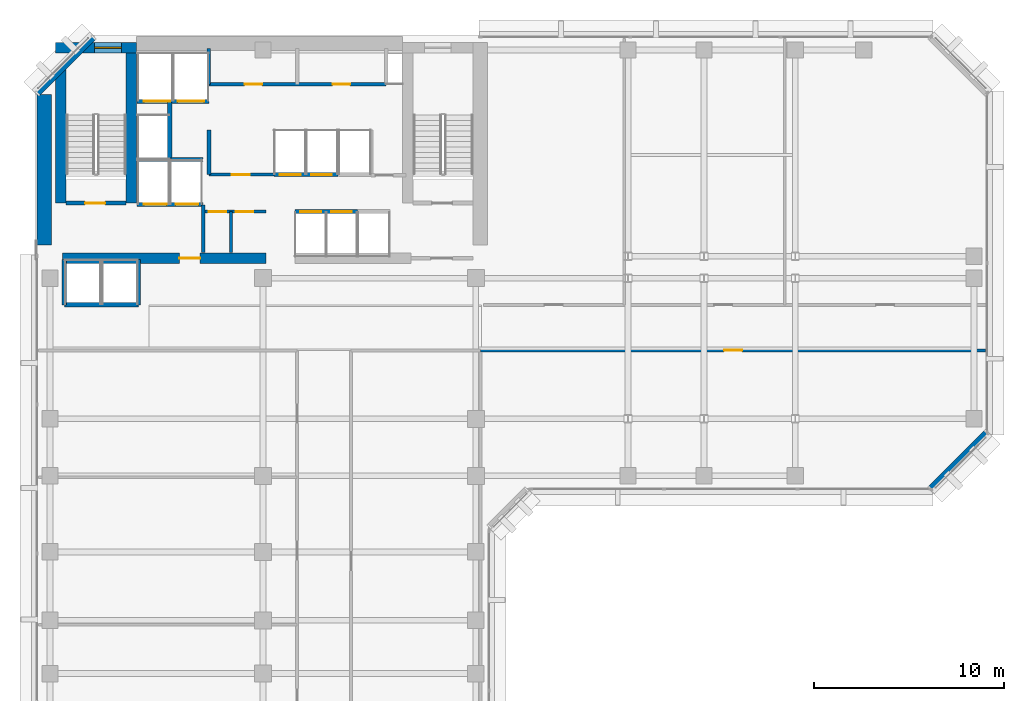
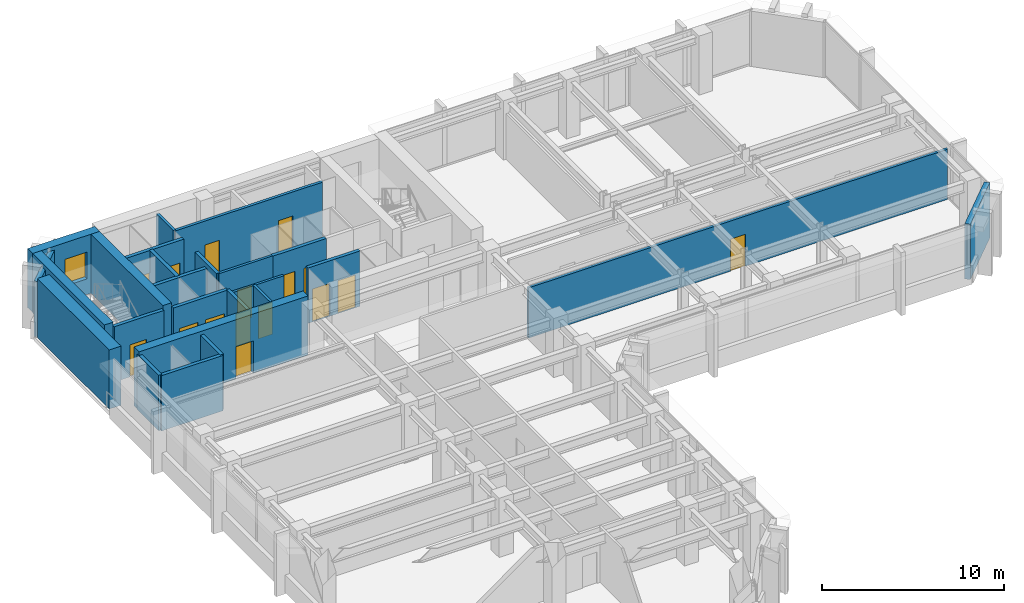
# One storey, part 7 of 11: 25 walls, 16 doors, 1 window, 17 openings.
"""IFC4 building model written with IfcOpenShell, lengths in metres."""

from ifc_helpers import new_model, si_unit, direction, frame, frame_2d, origin, place, context, subcontext, project, spatial, rectangle, extrude, material, layer, layer_set, type_object, element, fill, save


model = new_model("IFC4")

# Units and contexts
model_context = context("Model", 3, precision=1e-05, world=origin(), true_north=direction((0.0, 1.0)))
body_context = subcontext(model_context, "Body", "Model", "MODEL_VIEW")
ifc_project = project(units=[si_unit("LENGTHUNIT", "METRE"), si_unit("AREAUNIT", "SQUARE_METRE"), si_unit("VOLUMEUNIT", "CUBIC_METRE"), si_unit("PLANEANGLEUNIT", "RADIAN"), si_unit("MASSUNIT", "GRAM", prefix="KILO")], contexts=[model_context])

# Site, building, storey
site_placement = place(None, origin())
site = spatial("IfcSite", under=ifc_project, at=site_placement, CompositionType="ELEMENT")
building_placement = place(site_placement, origin())
building = spatial("IfcBuilding", under=site, at=building_placement, Name="Kefirva Bronze Tower", CompositionType="ELEMENT")
storey_placement = place(building_placement, frame((0.0, 0.0, 162.68994140625)))
storey = spatial("IfcBuildingStorey", under=building, at=storey_placement, Name="L39", CompositionType="ELEMENT", Elevation=162.68994140625)

# Wall, opening, door
ifc_material_1 = material(Name="Gypsum fireboard shaftwall")
ifc_layer_1 = layer(ifc_material_1, 0.219970703125, Name="Gypsum fireboard shaftwall")
ifc_layer_set_1 = layer_set([ifc_layer_1], Name="Gypsum fireboard shaftwall")
wall_type_1 = type_object("IfcWallType", Name="Fire-Rated Shaft Enclosure Wall 220mm", PredefinedType="PARTITIONING", material=ifc_layer_set_1)
wall_1_placement = place(storey_placement, frame((1.64990234375, 37.14990234375, 0.0), z_axis=(0.0, 0.0, 1.0), x_axis=(1.0, 0.0, 0.0)))
wall_1 = element("IfcWall", 1, at=wall_1_placement, inside=storey, type_object=wall_type_1, Name="L39 Partition W-L39-ST1S", PredefinedType="PARTITIONING", context=body_context, shape_type="SweptSolid", body=[
    extrude(rectangle(XDim=3.150146484375, YDim=0.219970703125, at=frame_2d((1.5751953125, 0.0))), origin(), (0.0, 0.0, 1.0), 3.7099609375),
])
opening_1_placement = place(wall_1_placement, frame((2.050048828125, 0.0, 0.0), z_axis=(0.0, 0.0, 1.0), x_axis=(-1.0, 0.0, 0.0)))
opening_1 = element("IfcOpeningElement", 2, at=opening_1_placement, cuts=wall_1, Name="Opening L39-D001", PredefinedType="OPENING", context=body_context, shape_type="SweptSolid", body=[
    extrude(rectangle(XDim=1.050048828125, YDim=2.14990234375, at=frame_2d((0.52490234375, 1.074951171875))), frame((0.0, 0.1201171875, 0.0), z_axis=(0.0, -1.0, 0.0), x_axis=(1.0, 0.0, 0.0)), (0.0, 0.0, 1.0), 0.239990234375),
])
ifc_material_2 = material(Name="Painted galvanized steel", Category="steel")
door_type_1 = type_object("IfcDoorType", Name="Fire Stair Enclosure Door 1050x2150 FD90S", OperationType="NOTDEFINED", PredefinedType="DOOR", material=ifc_material_2)
door_1_placement = place(opening_1_placement, origin())
door_1 = element("IfcDoor", 3, at=door_1_placement, inside=storey, type_object=door_type_1, Name="Door L39-D001", OperationType="SINGLE_SWING_LEFT", OverallHeight=2.14990234375, OverallWidth=1.050048828125, PredefinedType="DOOR", context=body_context, shape_type="SweptSolid", body=[
    extrude(rectangle(XDim=1.050048828125, YDim=2.14990234375, at=frame_2d((0.52490234375, 1.074951171875))), frame((0.0, 0.02490234375, 0.0), z_axis=(0.0, -1.0, 0.0), x_axis=(1.0, 0.0, 0.0)), (0.0, 0.0, 1.0), 0.050048828125),
])
fill(opening_1, door_1)

# Wall, openings, doors
wall_2_placement = place(storey_placement, frame((5.3798828125, 37.080078125, 0.0), z_axis=(0.0, 0.0, 1.0), x_axis=(1.0, 0.0, 0.0)))
wall_2 = element("IfcWall", 4, at=wall_2_placement, inside=storey, type_object=wall_type_1, Name="L39 Partition W-L39-FFS", PredefinedType="PARTITIONING", context=body_context, shape_type="SweptSolid", body=[
    extrude(rectangle(XDim=3.460205078125, YDim=0.219970703125, at=frame_2d((1.72998046875, 0.0))), origin(), (0.0, 0.0, 1.0), 3.7099609375),
])
opening_2_placement = place(wall_2_placement, frame((1.550048828125, 0.0, 0.0), z_axis=(0.0, 0.0, 1.0), x_axis=(-1.0, 0.0, 0.0)))
opening_2 = element("IfcOpeningElement", 5, at=opening_2_placement, cuts=wall_2, Name="Opening L39-LD-FF1", PredefinedType="OPENING", context=body_context, shape_type="SweptSolid", body=[
    extrude(rectangle(XDim=1.199951171875, YDim=2.199951171875, at=frame_2d((0.60009765625, 1.10009765625))), frame((0.0, 0.1201171875, 0.0), z_axis=(0.0, -1.0, 0.0), x_axis=(1.0, 0.0, 0.0)), (0.0, 0.0, 1.0), 0.239990234375),
])
opening_3_placement = place(wall_2_placement, frame((3.219970703125, 0.0, 0.0), z_axis=(0.0, 0.0, 1.0), x_axis=(-1.0, 0.0, 0.0)))
opening_3 = element("IfcOpeningElement", 6, at=opening_3_placement, cuts=wall_2, Name="Opening L39-LD-FF2", PredefinedType="OPENING", context=body_context, shape_type="SweptSolid", body=[
    extrude(rectangle(XDim=1.199951171875, YDim=2.199951171875, at=frame_2d((0.60009765625, 1.10009765625))), frame((0.0, 0.1201171875, 0.0), z_axis=(0.0, -1.0, 0.0), x_axis=(1.0, 0.0, 0.0)), (0.0, 0.0, 1.0), 0.239990234375),
])
ifc_material_3 = material(Name="Stainless steel 316", Category="steel")
door_type_2 = type_object("IfcDoorType", Name="Firefighting Lift Sliding Door 1200x2200", OperationType="SLIDING_TO_RIGHT", PredefinedType="DOOR", material=ifc_material_3)
door_2_placement = place(opening_2_placement, origin())
door_2 = element("IfcDoor", 7, at=door_2_placement, inside=storey, type_object=door_type_2, Name="Door L39-LD-FF1", OperationType="SLIDING_TO_RIGHT", OverallHeight=2.199951171875, OverallWidth=1.199951171875, PredefinedType="DOOR", context=body_context, shape_type="SweptSolid", body=[
    extrude(rectangle(XDim=1.199951171875, YDim=2.199951171875, at=frame_2d((0.60009765625, 1.10009765625))), frame((0.0, 0.02490234375, 0.0), z_axis=(0.0, -1.0, 0.0), x_axis=(1.0, 0.0, 0.0)), (0.0, 0.0, 1.0), 0.050048828125),
])
fill(opening_2, door_2)
door_3_placement = place(opening_3_placement, origin())
door_3 = element("IfcDoor", 8, at=door_3_placement, inside=storey, type_object=door_type_2, Name="Door L39-LD-FF2", OperationType="SLIDING_TO_RIGHT", OverallHeight=2.199951171875, OverallWidth=1.199951171875, PredefinedType="DOOR", context=body_context, shape_type="SweptSolid", body=[
    extrude(rectangle(XDim=1.199951171875, YDim=2.199951171875, at=frame_2d((0.60009765625, 1.10009765625))), frame((0.0, 0.02490234375, 0.0), z_axis=(0.0, -1.0, 0.0), x_axis=(1.0, 0.0, 0.0)), (0.0, 0.0, 1.0), 0.050048828125),
])
fill(opening_3, door_3)

# Wall
wall_3_placement = place(storey_placement, frame((5.3798828125, 39.449951171875, 0.0), z_axis=(0.0, 0.0, 1.0), x_axis=(1.0, 0.0, 0.0)))
element("IfcWall", 9, at=wall_3_placement, inside=storey, type_object=wall_type_1, Name="L39 Partition W-L39-FFN", PredefinedType="PARTITIONING", context=body_context, shape_type="SweptSolid", body=[
    extrude(rectangle(XDim=3.460205078125, YDim=0.219970703125, at=frame_2d((1.72998046875, 0.0))), origin(), (0.0, 0.0, 1.0), 3.7099609375),
])

# Wall, openings, doors
wall_4_placement = place(storey_placement, frame((5.3798828125, 42.5, 0.0), z_axis=(0.0, 0.0, 1.0), x_axis=(1.0, 0.0, 0.0)))
wall_4 = element("IfcWall", 10, at=wall_4_placement, inside=storey, type_object=wall_type_1, Name="L39 Partition W-L39-SVS", PredefinedType="PARTITIONING", context=body_context, shape_type="SweptSolid", body=[
    extrude(rectangle(XDim=3.77001953125, YDim=0.219970703125, at=frame_2d((1.885009765625, 0.0))), origin(), (0.0, 0.0, 1.0), 3.7099609375),
])
opening_4_placement = place(wall_4_placement, frame((1.75, 0.0, 0.0), z_axis=(0.0, 0.0, 1.0), x_axis=(-1.0, 0.0, 0.0)))
opening_4 = element("IfcOpeningElement", 11, at=opening_4_placement, cuts=wall_4, Name="Opening L39-LD-SV1", PredefinedType="OPENING", context=body_context, shape_type="SweptSolid", body=[
    extrude(rectangle(XDim=1.39990234375, YDim=2.199951171875, at=frame_2d((0.699951171875, 1.10009765625))), frame((0.0, 0.1201171875, 0.0), z_axis=(0.0, -1.0, 0.0), x_axis=(1.0, 0.0, 0.0)), (0.0, 0.0, 1.0), 0.239990234375),
])
opening_5_placement = place(wall_4_placement, frame((3.52978515625, 0.0, 0.0), z_axis=(0.0, 0.0, 1.0), x_axis=(-1.0, 0.0, 0.0)))
opening_5 = element("IfcOpeningElement", 12, at=opening_5_placement, cuts=wall_4, Name="Opening L39-LD-SV2", PredefinedType="OPENING", context=body_context, shape_type="SweptSolid", body=[
    extrude(rectangle(XDim=1.39990234375, YDim=2.199951171875, at=frame_2d((0.699951171875, 1.10009765625))), frame((0.0, 0.1201171875, 0.0), z_axis=(0.0, -1.0, 0.0), x_axis=(1.0, 0.0, 0.0)), (0.0, 0.0, 1.0), 0.239990234375),
])
door_type_3 = type_object("IfcDoorType", Name="Goods Lift Bi-Parting Sliding Door 1400x2200", OperationType="SLIDING_TO_LEFT", PredefinedType="DOOR", material=ifc_material_3)
door_4_placement = place(opening_4_placement, origin())
door_4 = element("IfcDoor", 13, at=door_4_placement, inside=storey, type_object=door_type_3, Name="Door L39-LD-SV1", OperationType="SLIDING_TO_LEFT", OverallHeight=2.199951171875, OverallWidth=1.39990234375, PredefinedType="DOOR", context=body_context, shape_type="SweptSolid", body=[
    extrude(rectangle(XDim=1.39990234375, YDim=2.199951171875, at=frame_2d((0.699951171875, 1.10009765625))), frame((0.0, 0.02490234375, 0.0), z_axis=(0.0, -1.0, 0.0), x_axis=(1.0, 0.0, 0.0)), (0.0, 0.0, 1.0), 0.050048828125),
])
fill(opening_4, door_4)
door_5_placement = place(opening_5_placement, origin())
door_5 = element("IfcDoor", 14, at=door_5_placement, inside=storey, type_object=door_type_3, Name="Door L39-LD-SV2", OperationType="SLIDING_TO_LEFT", OverallHeight=2.199951171875, OverallWidth=1.39990234375, PredefinedType="DOOR", context=body_context, shape_type="SweptSolid", body=[
    extrude(rectangle(XDim=1.39990234375, YDim=2.199951171875, at=frame_2d((0.699951171875, 1.10009765625))), frame((0.0, 0.02490234375, 0.0), z_axis=(0.0, -1.0, 0.0), x_axis=(1.0, 0.0, 0.0)), (0.0, 0.0, 1.0), 0.050048828125),
])
fill(opening_5, door_5)

# Walls
wall_5_placement = place(storey_placement, frame((7.10009765625, 39.52001953125, 0.0), z_axis=(0.0, 0.0, 1.0), x_axis=(0.0, 1.0, 0.0)))
element("IfcWall", 15, at=wall_5_placement, inside=storey, type_object=wall_type_1, Name="L39 Partition W-L39-HP3E", PredefinedType="PARTITIONING", context=body_context, shape_type="SweptSolid", body=[
    extrude(rectangle(XDim=2.929931640625, YDim=0.219970703125, at=frame_2d((1.46484375, 0.0))), origin(), (0.0, 0.0, 1.0), 3.7099609375),
])
wall_6_placement = place(storey_placement, frame((1.550048828125, 31.800048828125, 0.0), z_axis=(0.0, 0.0, 1.0), x_axis=(1.0, 0.0, 0.0)))
element("IfcWall", 16, at=wall_6_placement, inside=storey, type_object=wall_type_1, Name="L39 Partition W-L39-OBS", PredefinedType="PARTITIONING", context=body_context, shape_type="SweptSolid", body=[
    extrude(rectangle(XDim=3.89990234375, YDim=0.219970703125, at=frame_2d((1.949951171875, 0.0))), origin(), (0.0, 0.0, 1.0), 3.7099609375),
])
for number, where, z_axis, x_axis, name in (
    (17, (1.550048828125, 31.800048828125, 0.0), (0.0, 0.0, 1.0), (0.0, 1.0, 0.0), "L39 Partition W-L39-OBW"),
    (18, (5.449951171875, 31.800048828125, 0.0), (0.0, 0.0, 1.0), (0.0, 1.0, 0.0), "L39 Partition W-L39-OBE"),
):
    element("IfcWall", number, at=place(storey_placement, frame(where, z_axis=z_axis, x_axis=x_axis)), inside=storey, type_object=wall_type_1, Name=name, PredefinedType="PARTITIONING", context=body_context, shape_type="SweptSolid", body=[
        extrude(rectangle(XDim=2.3798828125, YDim=0.219970703125, at=frame_2d((1.18994140625, 0.0))), origin(), (0.0, 0.0, 1.0), 3.7099609375),
    ])
wall_7_placement = place(storey_placement, frame((9.159912109375, 38.64990234375, 0.0), z_axis=(0.0, 0.0, 1.0), x_axis=(0.0, 1.0, 0.0)))
element("IfcWall", 19, at=wall_7_placement, inside=storey, type_object=wall_type_1, Name="L39 Partition W-L39-LP3W", PredefinedType="PARTITIONING", context=body_context, shape_type="SweptSolid", body=[
    extrude(rectangle(XDim=2.35009765625, YDim=0.199951171875, at=frame_2d((1.175048828125, 0.0))), origin(), (0.0, 0.0, 1.0), 3.7099609375),
])

# Wall, openings, doors
wall_8_placement = place(storey_placement, frame((13.679931640625, 36.699951171875, 0.0), z_axis=(0.0, 0.0, 1.0), x_axis=(1.0, 0.0, 0.0)))
wall_8 = element("IfcWall", 20, at=wall_8_placement, inside=storey, type_object=wall_type_1, Name="L39 Partition W-L39-MPS", PredefinedType="PARTITIONING", context=body_context, shape_type="SweptSolid", body=[
    extrude(rectangle(XDim=3.280029296875, YDim=0.219970703125, at=frame_2d((1.64013671875, 0.0))), origin(), (0.0, 0.0, 1.0), 3.7099609375),
])
opening_6_placement = place(wall_8_placement, frame((0.280029296875, 0.0, 0.0)))
opening_6 = element("IfcOpeningElement", 21, at=opening_6_placement, cuts=wall_8, Name="Opening L39-LD-MP1", PredefinedType="OPENING", context=body_context, shape_type="SweptSolid", body=[
    extrude(rectangle(XDim=1.10009765625, YDim=2.199951171875, at=frame_2d((0.550048828125, 1.10009765625))), frame((0.0, 0.1201171875, 0.0), z_axis=(0.0, -1.0, 0.0), x_axis=(1.0, 0.0, 0.0)), (0.0, 0.0, 1.0), 0.239990234375),
])
opening_7_placement = place(wall_8_placement, frame((1.89990234375, 0.0, 0.0)))
opening_7 = element("IfcOpeningElement", 22, at=opening_7_placement, cuts=wall_8, Name="Opening L39-LD-MP2", PredefinedType="OPENING", context=body_context, shape_type="SweptSolid", body=[
    extrude(rectangle(XDim=1.10009765625, YDim=2.199951171875, at=frame_2d((0.550048828125, 1.10009765625))), frame((0.0, 0.1201171875, 0.0), z_axis=(0.0, -1.0, 0.0), x_axis=(1.0, 0.0, 0.0)), (0.0, 0.0, 1.0), 0.239990234375),
])
door_type_4 = type_object("IfcDoorType", Name="Passenger Lift Sliding Landing Door 1100x2200", OperationType="SLIDING_TO_LEFT", PredefinedType="DOOR", material=ifc_material_3)
door_6_placement = place(opening_6_placement, origin())
door_6 = element("IfcDoor", 23, at=door_6_placement, inside=storey, type_object=door_type_4, Name="Door L39-LD-MP1", OperationType="SLIDING_TO_RIGHT", OverallHeight=2.199951171875, OverallWidth=1.10009765625, PredefinedType="DOOR", context=body_context, shape_type="SweptSolid", body=[
    extrude(rectangle(XDim=1.10009765625, YDim=2.199951171875, at=frame_2d((0.550048828125, 1.10009765625))), frame((0.0, 0.02490234375, 0.0), z_axis=(0.0, -1.0, 0.0), x_axis=(1.0, 0.0, 0.0)), (0.0, 0.0, 1.0), 0.050048828125),
])
fill(opening_6, door_6)
door_7_placement = place(opening_7_placement, origin())
door_7 = element("IfcDoor", 24, at=door_7_placement, inside=storey, type_object=door_type_4, Name="Door L39-LD-MP2", OperationType="SLIDING_TO_RIGHT", OverallHeight=2.199951171875, OverallWidth=1.10009765625, PredefinedType="DOOR", context=body_context, shape_type="SweptSolid", body=[
    extrude(rectangle(XDim=1.10009765625, YDim=2.199951171875, at=frame_2d((0.550048828125, 1.10009765625))), frame((0.0, 0.02490234375, 0.0), z_axis=(0.0, -1.0, 0.0), x_axis=(1.0, 0.0, 0.0)), (0.0, 0.0, 1.0), 0.050048828125),
])
fill(opening_7, door_7)

wall_9_placement = place(storey_placement, frame((12.580078125, 38.64990234375, 0.0), z_axis=(0.0, 0.0, 1.0), x_axis=(1.0, 0.0, 0.0)))
wall_9 = element("IfcWall", 25, at=wall_9_placement, inside=storey, type_object=wall_type_1, Name="L39 Partition W-L39-MPN", PredefinedType="PARTITIONING", context=body_context, shape_type="SweptSolid", body=[
    extrude(rectangle(XDim=3.3798828125, YDim=0.219970703125, at=frame_2d((1.68994140625, 0.0))), origin(), (0.0, 0.0, 1.0), 3.7099609375),
])
opening_8_placement = place(wall_9_placement, frame((0.300048828125, 0.0, 0.0)))
opening_8 = element("IfcOpeningElement", 26, at=opening_8_placement, cuts=wall_9, Name="Opening L39-LD-MP3", PredefinedType="OPENING", context=body_context, shape_type="SweptSolid", body=[
    extrude(rectangle(XDim=1.10009765625, YDim=2.199951171875, at=frame_2d((0.550048828125, 1.10009765625))), frame((0.0, 0.1201171875, 0.0), z_axis=(0.0, -1.0, 0.0), x_axis=(1.0, 0.0, 0.0)), (0.0, 0.0, 1.0), 0.239990234375),
])
opening_9_placement = place(wall_9_placement, frame((1.949951171875, 0.0, 0.0)))
opening_9 = element("IfcOpeningElement", 27, at=opening_9_placement, cuts=wall_9, Name="Opening L39-LD-MP4", PredefinedType="OPENING", context=body_context, shape_type="SweptSolid", body=[
    extrude(rectangle(XDim=1.10009765625, YDim=2.199951171875, at=frame_2d((0.550048828125, 1.10009765625))), frame((0.0, 0.1201171875, 0.0), z_axis=(0.0, -1.0, 0.0), x_axis=(1.0, 0.0, 0.0)), (0.0, 0.0, 1.0), 0.239990234375),
])
door_8_placement = place(opening_8_placement, origin())
door_8 = element("IfcDoor", 28, at=door_8_placement, inside=storey, type_object=door_type_4, Name="Door L39-LD-MP3", OperationType="SLIDING_TO_RIGHT", OverallHeight=2.199951171875, OverallWidth=1.10009765625, PredefinedType="DOOR", context=body_context, shape_type="SweptSolid", body=[
    extrude(rectangle(XDim=1.10009765625, YDim=2.199951171875, at=frame_2d((0.550048828125, 1.10009765625))), frame((0.0, 0.02490234375, 0.0), z_axis=(0.0, -1.0, 0.0), x_axis=(1.0, 0.0, 0.0)), (0.0, 0.0, 1.0), 0.050048828125),
])
fill(opening_8, door_8)
door_9_placement = place(opening_9_placement, origin())
door_9 = element("IfcDoor", 29, at=door_9_placement, inside=storey, type_object=door_type_4, Name="Door L39-LD-MP4", OperationType="SLIDING_TO_RIGHT", OverallHeight=2.199951171875, OverallWidth=1.10009765625, PredefinedType="DOOR", context=body_context, shape_type="SweptSolid", body=[
    extrude(rectangle(XDim=1.10009765625, YDim=2.199951171875, at=frame_2d((0.550048828125, 1.10009765625))), frame((0.0, 0.02490234375, 0.0), z_axis=(0.0, -1.0, 0.0), x_axis=(1.0, 0.0, 0.0)), (0.0, 0.0, 1.0), 0.050048828125),
])
fill(opening_9, door_9)

# Walls
ifc_material_4 = material(Name="Gypsum fireboard barrier")
ifc_layer_2 = layer(ifc_material_4, 0.199951171875, Name="Gypsum fireboard barrier")
ifc_layer_set_2 = layer_set([ifc_layer_2], Name="Gypsum fireboard barrier")
wall_type_2 = type_object("IfcWallType", Name="Firefighting Lobby Barrier Wall 200mm", PredefinedType="PARTITIONING", material=ifc_layer_set_2)
wall_10_placement = place(storey_placement, frame((8.860107421875, 34.550048828125, 0.0), z_axis=(0.0, 0.0, 1.0), x_axis=(0.0, 1.0, 0.0)))
element("IfcWall", 30, at=wall_10_placement, inside=storey, type_object=wall_type_2, Name="L39 Partition W-L39-FFLE", PredefinedType="PARTITIONING", context=body_context, shape_type="SweptSolid", body=[
    extrude(rectangle(XDim=2.5, YDim=0.199951171875, at=frame_2d((1.25, 0.0))), origin(), (0.0, 0.0, 1.0), 3.7099609375),
])
ifc_material_5 = material(Name="Precast concrete C40/50", Category="concrete")
ifc_layer_3 = layer(ifc_material_5, 0.320068359375, Name="Precast concrete C40/50")
ifc_layer_set_3 = layer_set([ifc_layer_3], Name="Precast concrete C40/50")
wall_type_3 = type_object("IfcWallType", Name="Precast Insulated Exterior Wall 320mm", PredefinedType="SOLIDWALL", material=ifc_layer_set_3)
for number, where, z_axis, x_axis, name in (
    (31, (47.125732421875, 22.152099609375, 0.0), (0.0, 0.0, 1.0), (0.707136318428, 0.707077242712, 0.0), "L39 Exterior Facade Wall 6"),
    (32, (3.07421875, 45.847900390625, 0.0), (0.0, 0.0, 1.0), (-0.707106781187, -0.707106781187, 0.0), "L39 Exterior Facade Wall 8"),
):
    element("IfcWall", number, at=place(storey_placement, frame(where, z_axis=z_axis, x_axis=x_axis)), inside=storey, type_object=wall_type_3, Name=name, PredefinedType="SOLIDWALL", context=body_context, shape_type="SweptSolid", body=[
        extrude(rectangle(XDim=4.132568359375, YDim=0.320068359375, at=frame_2d((2.06640625, 0.0))), origin(), (0.0, 0.0, 1.0), 3.7099609375),
    ])

# Wall, openings, doors
ifc_material_6 = material(Name="Gypsum acoustic partition")
ifc_layer_4 = layer(ifc_material_6, 0.159912109375, Name="Gypsum acoustic partition")
ifc_layer_set_4 = layer_set([ifc_layer_4], Name="Gypsum acoustic partition")
wall_type_4 = type_object("IfcWallType", Name="Protected Corridor Partition 160mm", PredefinedType="PARTITIONING", material=ifc_layer_set_4)
wall_11_placement = place(storey_placement, frame((8.89990234375, 36.699951171875, 0.0), z_axis=(0.0, 0.0, 1.0), x_axis=(1.0, 0.0, 0.0)))
wall_11 = element("IfcWall", 33, at=wall_11_placement, inside=storey, type_object=wall_type_4, Name="L39 Partition W-L39-RECLP1", PredefinedType="PARTITIONING", context=body_context, shape_type="SweptSolid", body=[
    extrude(rectangle(XDim=3.25, YDim=0.159912109375, at=frame_2d((1.625, 0.0))), origin(), (0.0, 0.0, 1.0), 3.7099609375),
])
opening_10_placement = place(wall_11_placement, frame((0.260009765625, 0.0, 0.0)))
opening_10 = element("IfcOpeningElement", 34, at=opening_10_placement, cuts=wall_11, Name="Opening L39-D-RECLP1A", PredefinedType="OPENING", context=body_context, shape_type="SweptSolid", body=[
    extrude(rectangle(XDim=0.89990234375, YDim=2.14990234375, at=frame_2d((0.449951171875, 1.074951171875))), frame((0.0, 0.08984375, 0.0), z_axis=(0.0, -1.0, 0.0), x_axis=(1.0, 0.0, 0.0)), (0.0, 0.0, 1.0), 0.179931640625),
])
opening_11_placement = place(wall_11_placement, frame((1.679931640625, 0.0, 0.0)))
opening_11 = element("IfcOpeningElement", 35, at=opening_11_placement, cuts=wall_11, Name="Opening L39-D-RECLP1B", PredefinedType="OPENING", context=body_context, shape_type="SweptSolid", body=[
    extrude(rectangle(XDim=0.89990234375, YDim=2.14990234375, at=frame_2d((0.449951171875, 1.074951171875))), frame((0.0, 0.08984375, 0.0), z_axis=(0.0, -1.0, 0.0), x_axis=(1.0, 0.0, 0.0)), (0.0, 0.0, 1.0), 0.179931640625),
])
door_type_5 = type_object("IfcDoorType", Name="Core Archive & Server Fire Door 900x2150 FD60S", OperationType="NOTDEFINED", PredefinedType="DOOR", material=ifc_material_2)
door_10_placement = place(opening_10_placement, origin())
door_10 = element("IfcDoor", 36, at=door_10_placement, inside=storey, type_object=door_type_5, Name="Door L39-D-RECLP1A", OperationType="SINGLE_SWING_RIGHT", OverallHeight=2.14990234375, OverallWidth=0.89990234375, PredefinedType="DOOR", context=body_context, shape_type="SweptSolid", body=[
    extrude(rectangle(XDim=0.89990234375, YDim=2.14990234375, at=frame_2d((0.449951171875, 1.074951171875))), frame((0.0, 0.02490234375, 0.0), z_axis=(0.0, -1.0, 0.0), x_axis=(1.0, 0.0, 0.0)), (0.0, 0.0, 1.0), 0.050048828125),
])
fill(opening_10, door_10)
door_11_placement = place(opening_11_placement, origin())
door_11 = element("IfcDoor", 37, at=door_11_placement, inside=storey, type_object=door_type_5, Name="Door L39-D-RECLP1B", OperationType="SINGLE_SWING_LEFT", OverallHeight=2.14990234375, OverallWidth=0.89990234375, PredefinedType="DOOR", context=body_context, shape_type="SweptSolid", body=[
    extrude(rectangle(XDim=0.89990234375, YDim=2.14990234375, at=frame_2d((0.449951171875, 1.074951171875))), frame((0.0, 0.02490234375, 0.0), z_axis=(0.0, -1.0, 0.0), x_axis=(1.0, 0.0, 0.0)), (0.0, 0.0, 1.0), 0.050048828125),
])
fill(opening_11, door_11)

# Wall
wall_12_placement = place(storey_placement, frame((10.320068359375, 34.550048828125, 0.0), z_axis=(0.0, 0.0, 1.0), x_axis=(0.0, 1.0, 0.0)))
element("IfcWall", 38, at=wall_12_placement, inside=storey, type_object=wall_type_4, Name="L39 Partition W-L39-RECLP1D", PredefinedType="PARTITIONING", context=body_context, shape_type="SweptSolid", body=[
    extrude(rectangle(XDim=2.14990234375, YDim=0.159912109375, at=frame_2d((1.074951171875, 0.0))), origin(), (0.0, 0.0, 1.0), 3.7099609375),
])

# Wall, opening, door
wall_13_placement = place(storey_placement, frame((9.159912109375, 38.64990234375, 0.0), z_axis=(0.0, 0.0, 1.0), x_axis=(1.0, 0.0, 0.0)))
wall_13 = element("IfcWall", 39, at=wall_13_placement, inside=storey, type_object=wall_type_4, Name="L39 Partition W-L39-RECLP2", PredefinedType="PARTITIONING", context=body_context, shape_type="SweptSolid", body=[
    extrude(rectangle(XDim=3.420166015625, YDim=0.159912109375, at=frame_2d((1.7099609375, 0.0))), origin(), (0.0, 0.0, 1.0), 3.7099609375),
])
opening_12_placement = place(wall_13_placement, frame((2.14990234375, 0.0, 0.0), z_axis=(0.0, 0.0, 1.0), x_axis=(-1.0, 0.0, 0.0)))
opening_12 = element("IfcOpeningElement", 40, at=opening_12_placement, cuts=wall_13, Name="Opening L39-D-RECLP2", PredefinedType="OPENING", context=body_context, shape_type="SweptSolid", body=[
    extrude(rectangle(XDim=0.949951171875, YDim=2.14990234375, at=frame_2d((0.47509765625, 1.074951171875))), frame((0.0, 0.08984375, 0.0), z_axis=(0.0, -1.0, 0.0), x_axis=(1.0, 0.0, 0.0)), (0.0, 0.0, 1.0), 0.179931640625),
])
ifc_material_7 = material(Name="Acoustic hardwood oak", Category="wood")
door_type_6 = type_object("IfcDoorType", Name="Office & Meeting Room Door 950x2150", OperationType="NOTDEFINED", PredefinedType="DOOR", material=ifc_material_7)
door_12_placement = place(opening_12_placement, origin())
door_12 = element("IfcDoor", 41, at=door_12_placement, inside=storey, type_object=door_type_6, Name="Door L39-D-RECLP2", OperationType="SINGLE_SWING_RIGHT", OverallHeight=2.14990234375, OverallWidth=0.949951171875, PredefinedType="DOOR", context=body_context, shape_type="SweptSolid", body=[
    extrude(rectangle(XDim=0.949951171875, YDim=2.14990234375, at=frame_2d((0.47509765625, 1.074951171875))), frame((0.0, 0.02490234375, 0.0), z_axis=(0.0, -1.0, 0.0), x_axis=(1.0, 0.0, 0.0)), (0.0, 0.0, 1.0), 0.050048828125),
])
fill(opening_12, door_12)

wall_14_placement = place(storey_placement, frame((23.449951171875, 29.39990234375, 0.0), z_axis=(0.0, 0.0, 1.0), x_axis=(1.0, 0.0, 0.0)))
wall_14 = element("IfcWall", 42, at=wall_14_placement, inside=storey, type_object=wall_type_4, Name="L39 Partition W-L39-EWS", PredefinedType="PARTITIONING", context=body_context, shape_type="SweptSolid", body=[
    extrude(rectangle(XDim=26.56005859375, YDim=0.159912109375, at=frame_2d((13.280029296875, 0.0))), origin(), (0.0, 0.0, 1.0), 3.364990234375),
])
opening_13_placement = place(wall_14_placement, frame((13.7548828125, 0.0, 0.0), z_axis=(0.0, 0.0, 1.0), x_axis=(-1.0, 0.0, 0.0)))
opening_13 = element("IfcOpeningElement", 43, at=opening_13_placement, cuts=wall_14, Name="Opening L39-D-ES1", PredefinedType="OPENING", context=body_context, shape_type="SweptSolid", body=[
    extrude(rectangle(XDim=0.949951171875, YDim=2.14990234375, at=frame_2d((0.47509765625, 1.074951171875))), frame((0.0, 0.08984375, 0.0), z_axis=(0.0, -1.0, 0.0), x_axis=(1.0, 0.0, 0.0)), (0.0, 0.0, 1.0), 0.179931640625),
])
door_13_placement = place(opening_13_placement, origin())
door_13 = element("IfcDoor", 44, at=door_13_placement, inside=storey, type_object=door_type_6, Name="Door L39-D-ES1", OperationType="SINGLE_SWING_LEFT", OverallHeight=2.14990234375, OverallWidth=0.949951171875, PredefinedType="DOOR", context=body_context, shape_type="SweptSolid", body=[
    extrude(rectangle(XDim=0.949951171875, YDim=2.14990234375, at=frame_2d((0.47509765625, 1.074951171875))), frame((0.0, 0.02490234375, 0.0), z_axis=(0.0, -1.0, 0.0), x_axis=(1.0, 0.0, 0.0)), (0.0, 0.0, 1.0), 0.050048828125),
])
fill(opening_13, door_13)

# Wall, opening, window
ifc_material_8 = material(Name="Concrete C50/60", Category="concrete")
ifc_layer_5 = layer(ifc_material_8, 0.550048828125, Name="Concrete C50/60")
ifc_layer_set_5 = layer_set([ifc_layer_5], Name="Concrete C50/60")
wall_type_5 = type_object("IfcWallType", Name="RC Rear Core Exterior Wall 550mm", PredefinedType="SHEAR", material=ifc_layer_set_5)
wall_15_placement = place(storey_placement, frame((1.10009765625, 45.320068359375, 0.0), z_axis=(0.0, 0.0, 1.0), x_axis=(1.0, 0.0, 0.0)))
wall_15 = element("IfcWall", 45, at=wall_15_placement, inside=storey, type_object=wall_type_5, Name="L39 Stair 1 North Shear Wall", PredefinedType="SHEAR", context=body_context, shape_type="SweptSolid", body=[
    extrude(rectangle(XDim=4.239990234375, YDim=0.550048828125, at=frame_2d((2.1201171875, 0.0))), origin(), (0.0, 0.0, 1.0), 3.9599609375),
])
opening_14_placement = place(wall_15_placement, frame((2.050048828125, 0.0, 1.050048828125)))
opening_14 = element("IfcOpeningElement", 46, at=opening_14_placement, cuts=wall_15, Name="Opening WN-03", PredefinedType="OPENING", context=body_context, shape_type="SweptSolid", body=[
    extrude(rectangle(XDim=1.39990234375, YDim=1.800048828125, at=frame_2d((0.699951171875, 0.89990234375))), frame((0.0, 0.28515625, 0.0), z_axis=(0.0, -1.0, 0.0), x_axis=(1.0, 0.0, 0.0)), (0.0, 0.0, 1.0), 0.570068359375),
])
ifc_material_9 = material(Name="Laminated low-E double glazing", Category="glass")
window_type = type_object("IfcWindowType", Name="Rear-Core Stair Daylight Window 1400x1800", PartitioningType="SINGLE_PANEL", PredefinedType="WINDOW", material=ifc_material_9)
window_placement = place(opening_14_placement, origin())
window = element("IfcWindow", 47, at=window_placement, inside=storey, type_object=window_type, Name="L39 Stair 1 Daylight Window", OverallHeight=1.800048828125, OverallWidth=1.39990234375, PartitioningType="SINGLE_PANEL", PredefinedType="WINDOW", context=body_context, shape_type="SweptSolid", body=[
    extrude(rectangle(XDim=1.39990234375, YDim=1.800048828125, at=frame_2d((0.699951171875, 0.89990234375))), frame((0.0, 0.030029296875, 0.0), z_axis=(0.0, -1.0, 0.0), x_axis=(1.0, 0.0, 0.0)), (0.0, 0.0, 1.0), 0.06005859375),
])
fill(opening_14, window)

# Walls
ifc_material_10 = material(Name="Concrete C60/75", Category="concrete")
ifc_layer_6 = layer(ifc_material_10, 0.75, Name="Concrete C60/75")
ifc_layer_set_6 = layer_set([ifc_layer_6], Name="Concrete C60/75")
wall_type_6 = type_object("IfcWallType", Name="RC Rear Core Exterior Wall 750mm", PredefinedType="SHEAR", material=ifc_layer_set_6)
wall_16_placement = place(storey_placement, frame((0.5, 34.949951171875, 0.0), z_axis=(0.0, 0.0, 1.0), x_axis=(0.0, 1.0, 0.0)))
element("IfcWall", 48, at=wall_16_placement, inside=storey, type_object=wall_type_6, Name="L39 Rear Core West Shear Wall", PredefinedType="SHEAR", context=body_context, shape_type="SweptSolid", body=[
    extrude(rectangle(XDim=7.900146484375, YDim=0.75, at=frame_2d((3.9501953125, 0.0))), origin(), (0.0, 0.0, 1.0), 3.9599609375),
])
ifc_layer_7 = layer(ifc_material_8, 0.550048828125, Name="Concrete C50/60")
ifc_layer_set_7 = layer_set([ifc_layer_7], Name="Concrete C50/60")
wall_type_7 = type_object("IfcWallType", Name="RC Rear Core Interior Wall 550mm", PredefinedType="SHEAR", material=ifc_layer_set_7)
for number, where, z_axis, x_axis, name in (
    (49, (1.3701171875, 37.14990234375, 0.0), (0.0, 0.0, 1.0), (0.0, 1.0, 0.0), "L39 Stair 1 West Shear Wall"),
    (50, (5.070068359375, 37.14990234375, 0.0), (0.0, 0.0, 1.0), (0.0, 1.0, 0.0), "L39 Stair 1 East Shear Wall"),
):
    element("IfcWall", number, at=place(storey_placement, frame(where, z_axis=z_axis, x_axis=x_axis)), inside=storey, type_object=wall_type_7, Name=name, PredefinedType="SHEAR", context=body_context, shape_type="SweptSolid", body=[
        extrude(rectangle(XDim=7.89013671875, YDim=0.550048828125, at=frame_2d((3.945068359375, 0.0))), origin(), (0.0, 0.0, 1.0), 3.9599609375),
    ])

# Wall, opening, door
ifc_layer_8 = layer(ifc_material_10, 0.75, Name="Concrete C60/75")
ifc_layer_set_8 = layer_set([ifc_layer_8], Name="Concrete C60/75")
wall_type_8 = type_object("IfcWallType", Name="RC Rear Core Interior Wall 750mm", PredefinedType="SHEAR", material=ifc_layer_set_8)
wall_17_placement = place(storey_placement, frame((1.449951171875, 34.25, 0.0), z_axis=(0.0, 0.0, 1.0), x_axis=(1.0, 0.0, 0.0)))
wall_17 = element("IfcWall", 51, at=wall_17_placement, inside=storey, type_object=wall_type_8, Name="L39 Rear Core South-West Shear Wall", PredefinedType="SHEAR", context=body_context, shape_type="SweptSolid", body=[
    extrude(rectangle(XDim=10.7099609375, YDim=0.550048828125, at=frame_2d((5.35498046875, 0.0))), origin(), (0.0, 0.0, 1.0), 3.9599609375),
])
opening_15_placement = place(wall_17_placement, frame((7.25, 0.0, 0.0), z_axis=(0.0, 0.0, 1.0), x_axis=(-1.0, 0.0, 0.0)))
opening_15 = element("IfcOpeningElement", 52, at=opening_15_placement, cuts=wall_17, Name="Opening L39-D002", PredefinedType="OPENING", context=body_context, shape_type="SweptSolid", body=[
    extrude(rectangle(XDim=1.10009765625, YDim=2.14990234375, at=frame_2d((0.550048828125, 1.074951171875))), frame((0.0, 0.28515625, 0.0), z_axis=(0.0, -1.0, 0.0), x_axis=(1.0, 0.0, 0.0)), (0.0, 0.0, 1.0), 0.570068359375),
])
door_type_7 = type_object("IfcDoorType", Name="Firefighting Lobby Smoke Door 1100x2150 FD60S", OperationType="NOTDEFINED", PredefinedType="DOOR", material=ifc_material_2)
door_14_placement = place(opening_15_placement, origin())
door_14 = element("IfcDoor", 53, at=door_14_placement, inside=storey, type_object=door_type_7, Name="Door L39-D002", OperationType="SINGLE_SWING_RIGHT", OverallHeight=2.14990234375, OverallWidth=1.10009765625, PredefinedType="DOOR", context=body_context, shape_type="SweptSolid", body=[
    extrude(rectangle(XDim=1.10009765625, YDim=2.14990234375, at=frame_2d((0.550048828125, 1.074951171875))), frame((0.0, 0.02490234375, 0.0), z_axis=(0.0, -1.0, 0.0), x_axis=(1.0, 0.0, 0.0)), (0.0, 0.0, 1.0), 0.050048828125),
])
fill(opening_15, door_14)

# Wall, openings, doors
ifc_material_11 = material(Name="Moisture-resistant partition")
ifc_layer_9 = layer(ifc_material_11, 0.179931640625, Name="Moisture-resistant partition")
ifc_layer_set_9 = layer_set([ifc_layer_9], Name="Moisture-resistant partition")
wall_type_9 = type_object("IfcWallType", Name="Sanitary Plumbing Chase Wall 180mm", PredefinedType="PLUMBINGWALL", material=ifc_layer_set_9)
wall_18_placement = place(storey_placement, frame((9.14990234375, 43.39990234375, 0.0), z_axis=(0.0, 0.0, 1.0), x_axis=(1.0, 0.0, 0.0)))
wall_18 = element("IfcWall", 54, at=wall_18_placement, inside=storey, type_object=wall_type_9, Name="L39 Partition W-L39-SVCS", PredefinedType="PLUMBINGWALL", context=body_context, shape_type="SweptSolid", body=[
    extrude(rectangle(XDim=9.330078125, YDim=0.179931640625, at=frame_2d((4.6650390625, 0.0))), origin(), (0.0, 0.0, 1.0), 3.7099609375),
])
opening_16_placement = place(wall_18_placement, frame((1.8798828125, 0.0, 0.0)))
opening_16 = element("IfcOpeningElement", 55, at=opening_16_placement, cuts=wall_18, Name="Opening L39-D-CSVC1", PredefinedType="OPENING", context=body_context, shape_type="SweptSolid", body=[
    extrude(rectangle(XDim=0.919921875, YDim=2.10009765625, at=frame_2d((0.4599609375, 1.050048828125))), frame((0.0, 0.10009765625, 0.0), z_axis=(0.0, -1.0, 0.0), x_axis=(1.0, 0.0, 0.0)), (0.0, 0.0, 1.0), 0.199951171875),
])
opening_17_placement = place(wall_18_placement, frame((6.514892578125, 0.0, 0.0)))
opening_17 = element("IfcOpeningElement", 56, at=opening_17_placement, cuts=wall_18, Name="Opening L39-D-CSVC2", PredefinedType="OPENING", context=body_context, shape_type="SweptSolid", body=[
    extrude(rectangle(XDim=0.919921875, YDim=2.10009765625, at=frame_2d((0.4599609375, 1.050048828125))), frame((0.0, 0.10009765625, 0.0), z_axis=(0.0, -1.0, 0.0), x_axis=(1.0, 0.0, 0.0)), (0.0, 0.0, 1.0), 0.199951171875),
])
ifc_material_12 = material(Name="Moisture-resistant timber", Category="wood")
door_type_8 = type_object("IfcDoorType", Name="Accessible Sanitary & WC Door 920x2100", OperationType="NOTDEFINED", PredefinedType="DOOR", material=ifc_material_12)
door_15_placement = place(opening_16_placement, origin())
door_15 = element("IfcDoor", 57, at=door_15_placement, inside=storey, type_object=door_type_8, Name="Door L39-D-CSVC1", OperationType="SINGLE_SWING_LEFT", OverallHeight=2.10009765625, OverallWidth=0.919921875, PredefinedType="DOOR", context=body_context, shape_type="SweptSolid", body=[
    extrude(rectangle(XDim=0.919921875, YDim=2.10009765625, at=frame_2d((0.4599609375, 1.050048828125))), frame((0.0, 0.02490234375, 0.0), z_axis=(0.0, -1.0, 0.0), x_axis=(1.0, 0.0, 0.0)), (0.0, 0.0, 1.0), 0.050048828125),
])
fill(opening_16, door_15)
door_16_placement = place(opening_17_placement, origin())
door_16 = element("IfcDoor", 58, at=door_16_placement, inside=storey, type_object=door_type_8, Name="Door L39-D-CSVC2", OperationType="SINGLE_SWING_RIGHT", OverallHeight=2.10009765625, OverallWidth=0.919921875, PredefinedType="DOOR", context=body_context, shape_type="SweptSolid", body=[
    extrude(rectangle(XDim=0.919921875, YDim=2.10009765625, at=frame_2d((0.4599609375, 1.050048828125))), frame((0.0, 0.02490234375, 0.0), z_axis=(0.0, -1.0, 0.0), x_axis=(1.0, 0.0, 0.0)), (0.0, 0.0, 1.0), 0.050048828125),
])
fill(opening_17, door_16)

# Wall
wall_19_placement = place(storey_placement, frame((9.14990234375, 43.39990234375, 0.0), z_axis=(0.0, 0.0, 1.0), x_axis=(0.0, 1.0, 0.0)))
element("IfcWall", 59, at=wall_19_placement, inside=storey, type_object=wall_type_9, Name="L39 Partition W-L39-SVCW", PredefinedType="PLUMBINGWALL", context=body_context, shape_type="SweptSolid", body=[
    extrude(rectangle(XDim=1.880126953125, YDim=0.179931640625, at=frame_2d((0.93994140625, 0.0))), origin(), (0.0, 0.0, 1.0), 3.7099609375),
])

save(model, "model.ifc")
